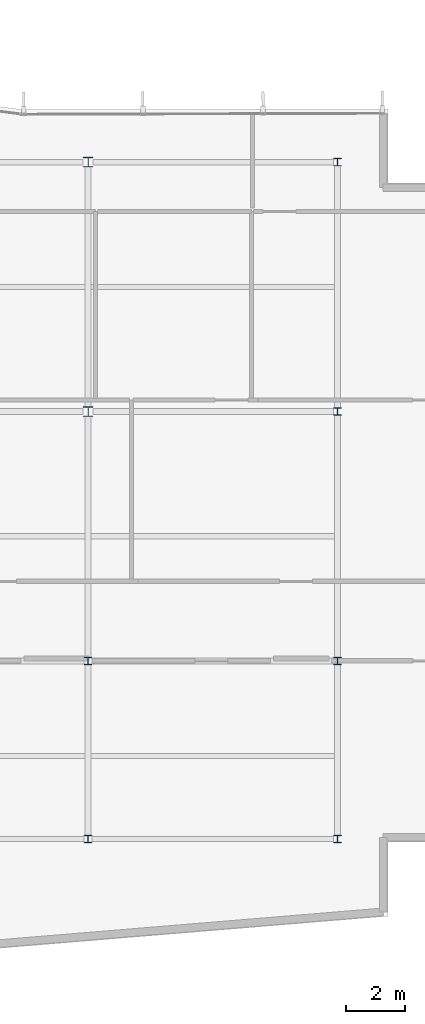
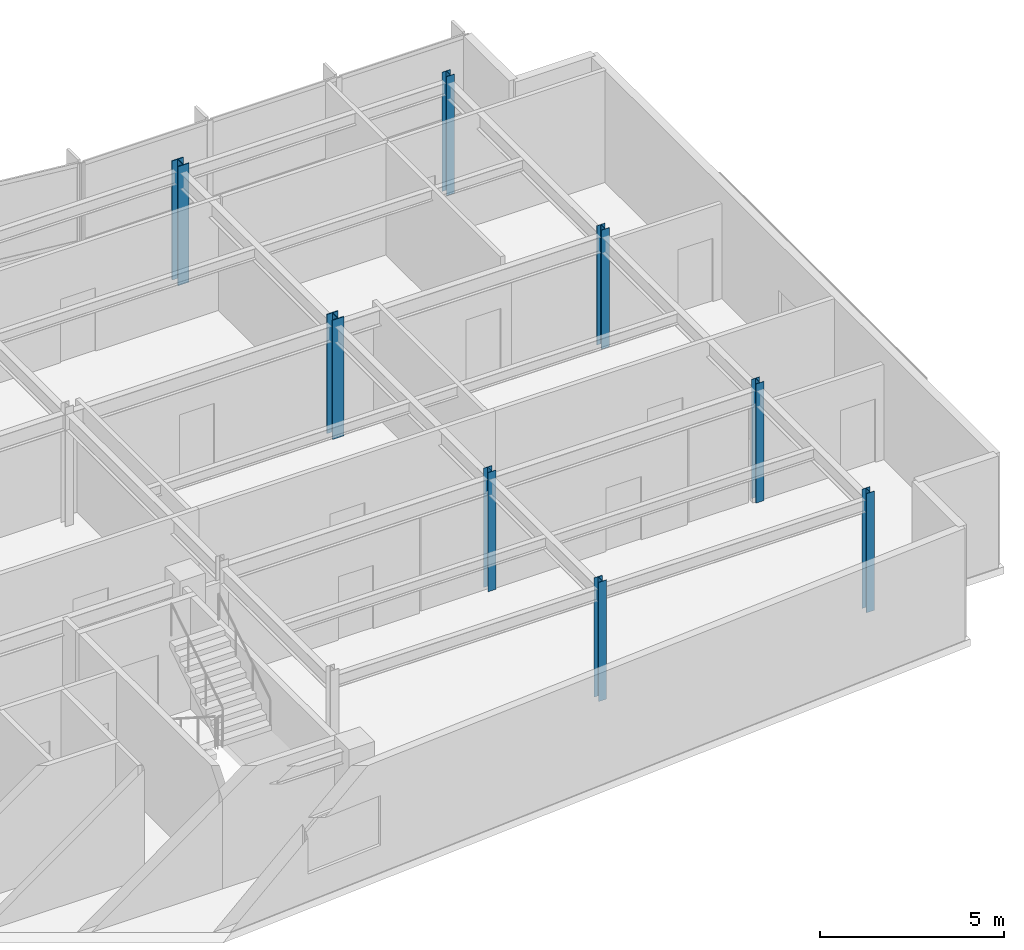
# One storey, part 3 of 15: 8 columns.
"""IFC4 building model written with IfcOpenShell, lengths in metres."""

from ifc_helpers import new_model, si_unit, direction, frame, origin, origin_2d, place, context, subcontext, project, spatial, i_section, extrude, material, material_profile, profile_set, type_object, element, save


model = new_model("IFC4")

# Units and contexts
model_context = context("Model", 3, precision=1e-05, world=origin(), true_north=direction((0.0, 1.0)))
body_context = subcontext(model_context, "Body", "Model", "MODEL_VIEW")
ifc_project = project(units=[si_unit("LENGTHUNIT", "METRE"), si_unit("AREAUNIT", "SQUARE_METRE"), si_unit("VOLUMEUNIT", "CUBIC_METRE"), si_unit("PLANEANGLEUNIT", "RADIAN"), si_unit("MASSUNIT", "GRAM", prefix="KILO")], contexts=[model_context])

# Site, building, storey
site_placement = place(None, origin())
site = spatial("IfcSite", under=ifc_project, at=site_placement, CompositionType="ELEMENT")
building_placement = place(site_placement, origin())
building = spatial("IfcBuilding", under=site, at=building_placement, Name="Varnakote Quay Hospital", CompositionType="ELEMENT")
storey_placement = place(building_placement, frame((0.0, 0.0, 252.60009765625)))
storey = spatial("IfcBuildingStorey", under=building, at=storey_placement, Name="L62", CompositionType="ELEMENT", Elevation=252.60009765625)

# Columns
ifc_material_1 = material(Name="Structural steel AS/NZS 3679.1 Grade 350 L0 (fy 340 MPa)", Category="steel")
ifc_material_profile_1 = material_profile(ifc_material_1, i_section(OverallWidth=0.25390625, OverallDepth=0.25390625, WebThickness=0.008544921875, FlangeThickness=0.01416015625, FilletRadius=0.0126953125, at=origin_2d()), Name="250UC72.9")
ifc_profile_set_1 = profile_set([ifc_material_profile_1], Name="Structural steel AS/NZS 3679.1 Grade 350 L0 (fy 340 MPa)")
column_type_1 = type_object("IfcColumnType", Name="COL-STL-250UC72-9", PredefinedType="COLUMN", material=ifc_profile_set_1)
for number, where, z_axis, x_axis, name in (
    (1, (33.60009765625, 6.0, 0.0), (0.0, 0.0, 1.0), (1.0, 0.0, 0.0), "L62 Structural Column C-34-6"),
    (2, (42.0, 6.0, 0.0), (0.0, 0.0, 1.0), (1.0, 0.0, 0.0), "L62 Structural Column C-42-6"),
    (3, (33.60009765625, 12.0, 0.0), (0.0, 0.0, 1.0), (1.0, 0.0, 0.0), "L62 Structural Column C-34-12"),
    (4, (42.0, 12.0, 0.0), (0.0, 0.0, 1.0), (1.0, 0.0, 0.0), "L62 Structural Column C-42-12"),
    (5, (42.0, 20.39990234375, 0.0), (0.0, 0.0, 1.0), (1.0, 0.0, 0.0), "L62 Structural Column C-42-20"),
    (6, (42.0, 28.800048828125, 0.0), (0.0, 0.0, 1.0), (1.0, 0.0, 0.0), "L62 Structural Column C-42-29"),
):
    element("IfcColumn", number, at=place(storey_placement, frame(where, z_axis=z_axis, x_axis=x_axis)), inside=storey, type_object=column_type_1, Name=name, PredefinedType="COLUMN", context=body_context, shape_type="SweptSolid", body=[
        extrude(i_section(OverallWidth=0.25390625, OverallDepth=0.25390625, WebThickness=0.008544921875, FlangeThickness=0.01416015625, FilletRadius=0.0126953125, at=origin_2d()), origin(), (0.0, 0.0, 1.0), 3.949951171875),
    ])
ifc_material_2 = material(Name="Structural steel AS/NZS 3678 Grade 350 (fy 340 MPa)", Category="steel")
ifc_material_profile_2 = material_profile(ifc_material_2, i_section(OverallWidth=0.35009765625, OverallDepth=0.340087890625, WebThickness=0.01611328125, FlangeThickness=0.028076171875, at=origin_2d()), Name="350WC197")
ifc_profile_set_2 = profile_set([ifc_material_profile_2], Name="Structural steel AS/NZS 3678 Grade 350 (fy 340 MPa)")
column_type_2 = type_object("IfcColumnType", Name="COL-STL-350WC197", PredefinedType="COLUMN", material=ifc_profile_set_2)
for number, where, z_axis, x_axis, name in (
    (7, (33.60009765625, 20.39990234375, 0.0), (0.0, 0.0, 1.0), (1.0, 0.0, 0.0), "L62 Structural Column C-34-20"),
    (8, (33.60009765625, 28.800048828125, 0.0), (0.0, 0.0, 1.0), (1.0, 0.0, 0.0), "L62 Structural Column C-34-29"),
):
    element("IfcColumn", number, at=place(storey_placement, frame(where, z_axis=z_axis, x_axis=x_axis)), inside=storey, type_object=column_type_2, Name=name, PredefinedType="COLUMN", context=body_context, shape_type="SweptSolid", body=[
        extrude(i_section(OverallWidth=0.35009765625, OverallDepth=0.340087890625, WebThickness=0.01611328125, FlangeThickness=0.028076171875, at=origin_2d()), origin(), (0.0, 0.0, 1.0), 3.949951171875),
    ])

save(model, "model.ifc")
